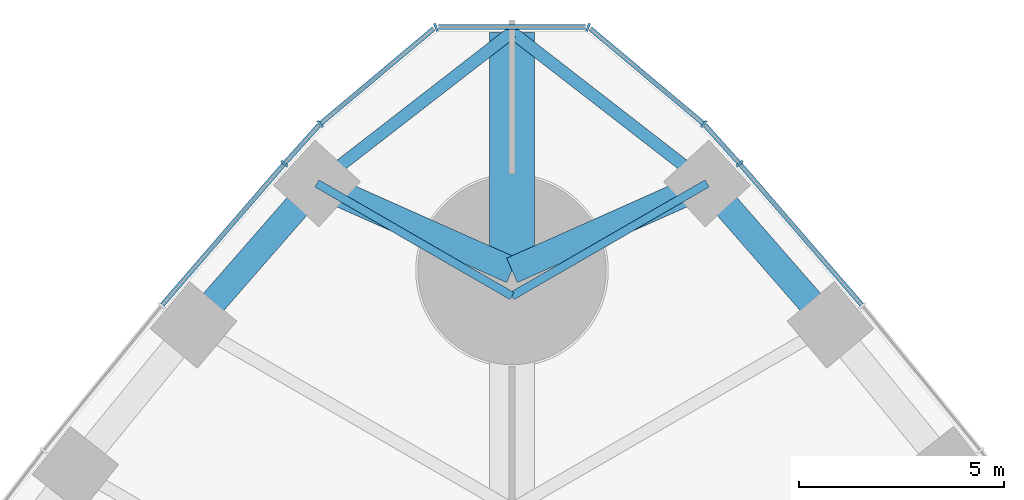
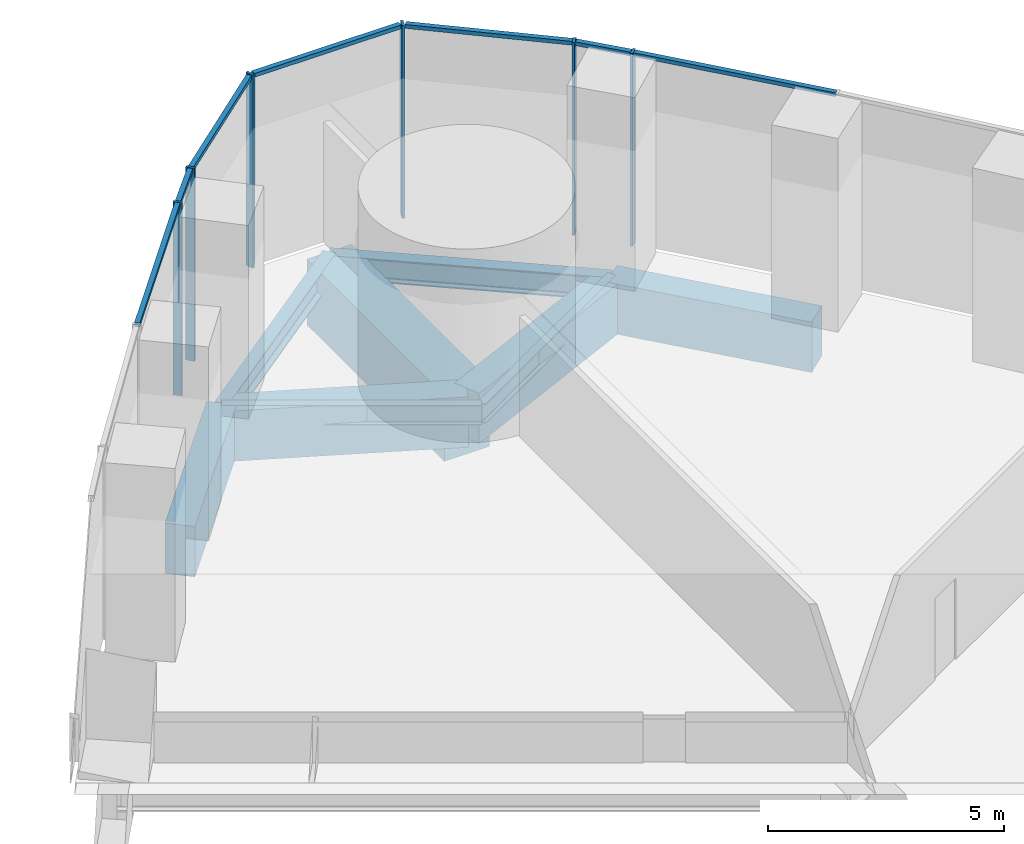
# One storey, part 12 of 21: 13 members, 9 beams, 3 elements without a shape of their own.
"""IFC4 building model written with IfcOpenShell, lengths in metres."""

from ifc_helpers import new_model, si_unit, direction, frame, origin, origin_2d, place, context, subcontext, project, spatial, rectangle, i_section, extrude, material, material_profile, profile_set, type_object, element, aggregate, save


model = new_model("IFC4")

# Units and contexts
model_context = context("Model", 3, precision=1e-05, world=origin(), true_north=direction((0.0, 1.0)))
body_context = subcontext(model_context, "Body", "Model", "MODEL_VIEW")
ifc_project = project(units=[si_unit("LENGTHUNIT", "METRE"), si_unit("AREAUNIT", "SQUARE_METRE"), si_unit("VOLUMEUNIT", "CUBIC_METRE"), si_unit("PLANEANGLEUNIT", "RADIAN"), si_unit("MASSUNIT", "GRAM", prefix="KILO")], contexts=[model_context])

# Site, building, storey
site_placement = place(None, origin())
site = spatial("IfcSite", under=ifc_project, at=site_placement, CompositionType="ELEMENT")
building_placement = place(site_placement, origin())
building = spatial("IfcBuilding", under=site, at=building_placement, Name="Trefoil Bronze Tower", CompositionType="ELEMENT")
storey_placement = place(building_placement, frame((0.0, 0.0, 11.5)))
storey = spatial("IfcBuildingStorey", under=building, at=storey_placement, Name="L02", CompositionType="ELEMENT", Elevation=11.5)

# Curtain wall, member
ifc_material_1 = material(Name="Tinted solar-control glass", Category="glass")
curtain_wall_type_1 = type_object("IfcCurtainWallType", Name="Bronze podium storefront curtain wall", PredefinedType="USERDEFINED", material=ifc_material_1)
curtain_wall_1_placement = place(storey_placement, origin())
curtain_wall_1 = element("IfcCurtainWall", 1, at=curtain_wall_1_placement, inside=storey, type_object=curtain_wall_type_1, Name="CW-C L02 F2", ObjectType="CURTAIN WALL", PredefinedType="USERDEFINED")
ifc_material_2 = material(Name="Bronze-finish aluminium", Category="aluminium")
ifc_material_profile_1 = material_profile(ifc_material_2, rectangle(XDim=0.199951171875, YDim=0.06005859375, at=origin_2d()), Name="CW-C mullion")
ifc_profile_set_1 = profile_set([ifc_material_profile_1], Name="Bronze-finish aluminium")
member_type_1 = type_object("IfcMemberType", Name="Bronze podium storefront curtain wall mullion", PredefinedType="MULLION", material=ifc_profile_set_1)
member_1_placement = place(storey_placement, frame((5.556640625, 39.60400390625, 0.0), z_axis=(0.0, 0.0, 1.0), x_axis=(-0.7499405861, -0.661505190698, 0.0)))
member_1 = element("IfcMember", 2, at=member_1_placement, type_object=member_type_1, Name="CW-C L02 F2 mullion 16", PredefinedType="MULLION", context=body_context, shape_type="SweptSolid", body=[
    extrude(rectangle(XDim=0.199951171875, YDim=0.06005859375, at=origin_2d()), origin(), (0.0, 0.0, 1.0), 4.97998046875),
])

curtain_wall_2_placement = place(storey_placement, origin())
curtain_wall_2 = element("IfcCurtainWall", 3, at=curtain_wall_2_placement, inside=storey, type_object=curtain_wall_type_1, Name="CW-C L02 F3", ObjectType="CURTAIN WALL", PredefinedType="USERDEFINED")
member_2_placement = place(storey_placement, frame((-5.556640625, 39.60400390625, 0.0), z_axis=(0.0, 0.0, 1.0), x_axis=(0.7499405861, -0.661505190698, 0.0)))
member_2 = element("IfcMember", 4, at=member_2_placement, type_object=member_type_1, Name="CW-C L02 F3 mullion 2", PredefinedType="MULLION", context=body_context, shape_type="SweptSolid", body=[
    extrude(rectangle(XDim=0.199951171875, YDim=0.06005859375, at=origin_2d()), origin(), (0.0, 0.0, 1.0), 4.97998046875),
])

# Member
ifc_material_3 = material(Name="Bronze-finish aluminium", Category="aluminium")
ifc_material_profile_2 = material_profile(ifc_material_3, rectangle(XDim=0.1201171875, YDim=0.10009765625, at=origin_2d()), Name="CW-C transom")
ifc_profile_set_2 = profile_set([ifc_material_profile_2], Name="Bronze-finish aluminium")
member_type_2 = type_object("IfcMemberType", Name="Bronze podium storefront curtain wall transom", PredefinedType="USERDEFINED", material=ifc_profile_set_2)
member_3_placement = place(storey_placement, frame((8.5361328125, 36.160888671875, 4.929931640625), z_axis=(-0.654393958873, 0.756153785014, 0.0), x_axis=(-0.756153785014, -0.654393958873, 0.0)))
member_3 = element("IfcMember", 5, at=member_3_placement, type_object=member_type_2, Name="CW-C L02 F2 transom 15", ObjectType="TRANSOM", PredefinedType="USERDEFINED", context=body_context, shape_type="SweptSolid", body=[
    extrude(rectangle(XDim=0.1201171875, YDim=0.10009765625, at=origin_2d()), origin(), (0.0, 0.0, 1.0), 4.5224609375),
])

member_4_placement = place(storey_placement, frame((5.535888671875, 39.626953125, 4.929931640625), z_axis=(-0.668613891613, 0.743609752452, 0.0), x_axis=(-0.743609752452, -0.668613891613, 0.0)))
member_4 = element("IfcMember", 6, at=member_4_placement, type_object=member_type_2, Name="CW-C L02 F2 transom 16", ObjectType="TRANSOM", PredefinedType="USERDEFINED", context=body_context, shape_type="SweptSolid", body=[
    extrude(rectangle(XDim=0.1201171875, YDim=0.10009765625, at=origin_2d()), origin(), (0.0, 0.0, 1.0), 1.23046875),
])

aggregate(curtain_wall_1, [member_1, member_3, member_4])

member_5_placement = place(storey_placement, frame((-4.713134765625, 40.5419921875, 4.929931640625), z_axis=(-0.668613891613, -0.743609752452, 0.0), x_axis=(0.743609752452, -0.668613891613, 0.0)))
member_5 = element("IfcMember", 7, at=member_5_placement, type_object=member_type_2, Name="CW-C L02 F3 transom 1", ObjectType="TRANSOM", PredefinedType="USERDEFINED", context=body_context, shape_type="SweptSolid", body=[
    extrude(rectangle(XDim=0.1201171875, YDim=0.10009765625, at=origin_2d()), origin(), (0.0, 0.0, 1.0), 1.23046875),
])

member_6_placement = place(storey_placement, frame((-5.57666015625, 39.58056640625, 4.929931640625), z_axis=(-0.654393958873, -0.756153785014, 0.0), x_axis=(0.756153785014, -0.654393958873, 0.0)))
member_6 = element("IfcMember", 8, at=member_6_placement, type_object=member_type_2, Name="CW-C L02 F3 transom 2", ObjectType="TRANSOM", PredefinedType="USERDEFINED", context=body_context, shape_type="SweptSolid", body=[
    extrude(rectangle(XDim=0.1201171875, YDim=0.10009765625, at=origin_2d()), origin(), (0.0, 0.0, 1.0), 4.5224609375),
])

aggregate(curtain_wall_2, [member_2, member_5, member_6])

# Curtain wall, members
ifc_material_4 = material(Name="Tinted solar-control glass", Category="glass")
curtain_wall_type_2 = type_object("IfcCurtainWallType", Name="Bronze rounded corner curtain wall", PredefinedType="USERDEFINED", material=ifc_material_4)
curtain_wall_3_placement = place(storey_placement, origin())
curtain_wall_3 = element("IfcCurtainWall", 9, at=curtain_wall_3_placement, inside=storey, type_object=curtain_wall_type_2, Name="CW-B L02 K2", ObjectType="CURTAIN WALL", PredefinedType="USERDEFINED")
ifc_material_5 = material(Name="Bronze-finish aluminium", Category="aluminium")
ifc_material_profile_3 = material_profile(ifc_material_5, rectangle(XDim=0.199951171875, YDim=0.06005859375, at=origin_2d()), Name="CW-B mullion")
ifc_profile_set_3 = profile_set([ifc_material_profile_3], Name="Bronze-finish aluminium")
member_type_3 = type_object("IfcMemberType", Name="Bronze rounded corner curtain wall mullion", PredefinedType="MULLION", material=ifc_profile_set_3)
member_7_placement = place(storey_placement, frame((4.68310546875, 40.573974609375, 0.0), z_axis=(0.0, 0.0, 1.0), x_axis=(-0.642787609687, -0.766044443119, 0.0)))
member_7 = element("IfcMember", 10, at=member_7_placement, type_object=member_type_3, Name="CW-B L02 K2 mullion 1", PredefinedType="MULLION", context=body_context, shape_type="SweptSolid", body=[
    extrude(rectangle(XDim=0.199951171875, YDim=0.06005859375, at=origin_2d()), origin(), (0.0, 0.0, 1.0), 4.97998046875),
])
member_8_placement = place(storey_placement, frame((1.8583984375, 42.9365234375, 0.0), z_axis=(0.0, 0.0, 1.0), x_axis=(-0.342020143326, -0.939692620786, 0.0)))
member_8 = element("IfcMember", 11, at=member_8_placement, type_object=member_type_3, Name="CW-B L02 K2 mullion 2", PredefinedType="MULLION", context=body_context, shape_type="SweptSolid", body=[
    extrude(rectangle(XDim=0.199951171875, YDim=0.06005859375, at=origin_2d()), origin(), (0.0, 0.0, 1.0), 4.97998046875),
])
member_9_placement = place(storey_placement, frame((-1.8583984375, 42.9365234375, 0.0), z_axis=(0.0, 0.0, 1.0), x_axis=(0.342020143326, -0.939692620786, 0.0)))
member_9 = element("IfcMember", 12, at=member_9_placement, type_object=member_type_3, Name="CW-B L02 K2 mullion 3", PredefinedType="MULLION", context=body_context, shape_type="SweptSolid", body=[
    extrude(rectangle(XDim=0.199951171875, YDim=0.06005859375, at=origin_2d()), origin(), (0.0, 0.0, 1.0), 4.97998046875),
])
member_10_placement = place(storey_placement, frame((-4.68310546875, 40.573974609375, 0.0), z_axis=(0.0, 0.0, 1.0), x_axis=(0.642787609687, -0.766044443119, 0.0)))
member_10 = element("IfcMember", 13, at=member_10_placement, type_object=member_type_3, Name="CW-B L02 K2 mullion 4", PredefinedType="MULLION", context=body_context, shape_type="SweptSolid", body=[
    extrude(rectangle(XDim=0.199951171875, YDim=0.06005859375, at=origin_2d()), origin(), (0.0, 0.0, 1.0), 4.97998046875),
])
ifc_material_6 = material(Name="Bronze-finish aluminium", Category="aluminium")
ifc_material_profile_4 = material_profile(ifc_material_6, rectangle(XDim=0.1201171875, YDim=0.10009765625, at=origin_2d()), Name="CW-B transom")
ifc_profile_set_4 = profile_set([ifc_material_profile_4], Name="Bronze-finish aluminium")
member_type_4 = type_object("IfcMemberType", Name="Bronze rounded corner curtain wall transom", PredefinedType="USERDEFINED", material=ifc_profile_set_4)
member_11_placement = place(storey_placement, frame((4.66015625, 40.59326171875, 4.929931640625), z_axis=(-0.766058606238, 0.642770730361, 0.0), x_axis=(-0.642770730361, -0.766058606238, 0.0)))
member_11 = element("IfcMember", 14, at=member_11_placement, type_object=member_type_4, Name="CW-B L02 K2 transom 1", ObjectType="TRANSOM", PredefinedType="USERDEFINED", context=body_context, shape_type="SweptSolid", body=[
    extrude(rectangle(XDim=0.1201171875, YDim=0.10009765625, at=origin_2d()), origin(), (0.0, 0.0, 1.0), 3.588134765625),
])
member_12_placement = place(storey_placement, frame((1.794189453125, 42.9423828125, 4.929931640625), z_axis=(-1.0, 0.0, 0.0), x_axis=(0.0, -1.0, 0.0)))
member_12 = element("IfcMember", 15, at=member_12_placement, type_object=member_type_4, Name="CW-B L02 K2 transom 2", ObjectType="TRANSOM", PredefinedType="USERDEFINED", context=body_context, shape_type="SweptSolid", body=[
    extrude(rectangle(XDim=0.1201171875, YDim=0.10009765625, at=origin_2d()), origin(), (0.0, 0.0, 1.0), 3.58837890625),
])
member_13_placement = place(storey_placement, frame((-1.911376953125, 42.899658203125, 4.929931640625), z_axis=(-0.766058606238, -0.642770730361, 0.0), x_axis=(0.642770730361, -0.766058606238, 0.0)))
member_13 = element("IfcMember", 16, at=member_13_placement, type_object=member_type_4, Name="CW-B L02 K2 transom 3", ObjectType="TRANSOM", PredefinedType="USERDEFINED", context=body_context, shape_type="SweptSolid", body=[
    extrude(rectangle(XDim=0.1201171875, YDim=0.10009765625, at=origin_2d()), origin(), (0.0, 0.0, 1.0), 3.588134765625),
])
aggregate(curtain_wall_3, [member_7, member_8, member_9, member_10, member_11, member_12, member_13])

# Beams
ifc_material_7 = material(Name="Concrete B80", Category="concrete")
ifc_material_profile_5 = material_profile(ifc_material_7, rectangle(XDim=1.10009765625, YDim=1.699951171875, at=origin_2d()), Name="RC 1100x1700")
ifc_profile_set_5 = profile_set([ifc_material_profile_5], Name="Concrete B80")
beam_type_1 = type_object("IfcBeamType", Name="Corner cantilever RC 1100x1700", PredefinedType="BEAM", material=ifc_profile_set_5)
beam_placement = place(storey_placement, frame((0.0, 37.0, -1.050048828125), z_axis=(0.0, 1.0, 0.0), x_axis=(-1.0, 0.0, 0.0)))
element("IfcBeam", 17, at=beam_placement, inside=storey, type_object=beam_type_1, Name="Corner cantilever K2 L02", PredefinedType="BEAM", context=body_context, shape_type="SweptSolid", body=[
    extrude(rectangle(XDim=1.10009765625, YDim=1.699951171875, at=origin_2d()), origin(), (0.0, 0.0, 1.0), 5.814208984375),
])
ifc_material_8 = material(Name="Steel C355", Category="steel")
ifc_material_profile_6 = material_profile(ifc_material_8, i_section(OverallWidth=0.300048828125, OverallDepth=0.60009765625, WebThickness=0.015380859375, FlangeThickness=0.030029296875, FilletRadius=0.027099609375, at=origin_2d()), Name="HEB 600")
ifc_profile_set_6 = profile_set([ifc_material_profile_6], Name="Steel C355")
beam_type_2 = type_object("IfcBeamType", Name="Corner edge beam HEB 600", PredefinedType="BEAM", material=ifc_profile_set_6)
for number, where, z_axis, x_axis, name in (
    (18, (4.76171875, 39.122314453125, -0.5), (-0.790289474622, 0.612733666696, 0.0), (-0.612733666696, -0.790289474622, 0.0), "Corner edge beam F2A L02"),
    (19, (-4.76171875, 39.122314453125, -0.5), (0.790289474622, 0.612733666696, 0.0), (-0.612733666696, 0.790289474622, 0.0), "Corner edge beam F3B L02"),
):
    element("IfcBeam", number, at=place(storey_placement, frame(where, z_axis=z_axis, x_axis=x_axis)), inside=storey, type_object=beam_type_2, Name=name, PredefinedType="BEAM", context=body_context, shape_type="SweptSolid", body=[
        extrude(i_section(OverallWidth=0.300048828125, OverallDepth=0.60009765625, WebThickness=0.015380859375, FlangeThickness=0.030029296875, FilletRadius=0.027099609375, at=origin_2d()), origin(), (0.0, 0.0, 1.0), 6.025390625),
    ])
ifc_material_9 = material(Name="Concrete B80", Category="concrete")
ifc_material_profile_7 = material_profile(ifc_material_9, rectangle(XDim=0.64990234375, YDim=1.300048828125, at=origin_2d()), Name="RC 650x1300")
ifc_profile_set_7 = profile_set([ifc_material_profile_7], Name="Concrete B80")
beam_type_3 = type_object("IfcBeamType", Name="End spandrel beam RC 650x1300", PredefinedType="SPANDREL", material=ifc_profile_set_7)
for number, where, z_axis, x_axis, name in (
    (20, (4.76171875, 39.122314453125, -0.85009765625), (-0.913384257879, -0.407098510754, 0.0), (0.407098510754, -0.913384257879, 0.0), "Spandrel F2.16 L02"),
    (21, (0.0, 37.0, -0.85009765625), (-0.913384257879, 0.407098510754, 0.0), (-0.407098510754, -0.913384257879, 0.0), "Spandrel F3.1 L02"),
):
    element("IfcBeam", number, at=place(storey_placement, frame(where, z_axis=z_axis, x_axis=x_axis)), inside=storey, type_object=beam_type_3, Name=name, PredefinedType="SPANDREL", context=body_context, shape_type="SweptSolid", body=[
        extrude(rectangle(XDim=0.64990234375, YDim=1.300048828125, at=origin_2d()), origin(), (0.0, 0.0, 1.0), 5.21337890625),
    ])
ifc_material_10 = material(Name="Steel C355", Category="steel")
ifc_material_profile_8 = material_profile(ifc_material_10, i_section(OverallWidth=0.199951171875, OverallDepth=0.5, WebThickness=0.01025390625, FlangeThickness=0.01611328125, FilletRadius=0.02099609375, at=origin_2d()), Name="IPE 500")
ifc_profile_set_8 = profile_set([ifc_material_profile_8], Name="Steel C355")
beam_type_4 = type_object("IfcBeamType", Name="Floor beam IPE 500", PredefinedType="BEAM", material=ifc_profile_set_8)
for number, where, z_axis, x_axis, name in (
    (22, (4.76171875, 39.122314453125, -0.449951171875), (-0.866018475376, -0.500012000164, 0.0), (0.500012000164, -0.866018475376, 0.0), "Floor beam F2/+7 L02"),
    (23, (-4.76171875, 39.122314453125, -0.449951171875), (0.866018475376, -0.500012000164, 0.0), (0.500012000164, 0.866018475376, 0.0), "Floor beam F3/-7 L02"),
):
    element("IfcBeam", number, at=place(storey_placement, frame(where, z_axis=z_axis, x_axis=x_axis)), inside=storey, type_object=beam_type_4, Name=name, PredefinedType="BEAM", context=body_context, shape_type="SweptSolid", body=[
        extrude(i_section(OverallWidth=0.199951171875, OverallDepth=0.5, WebThickness=0.01025390625, FlangeThickness=0.01611328125, FilletRadius=0.02099609375, at=origin_2d()), origin(), (0.0, 0.0, 1.0), 5.498291015625),
    ])
ifc_material_11 = material(Name="Concrete B80", Category="concrete")
ifc_material_profile_9 = material_profile(ifc_material_11, rectangle(XDim=0.64990234375, YDim=1.300048828125, at=origin_2d()), Name="RC 650x1300")
ifc_profile_set_9 = profile_set([ifc_material_profile_9], Name="Concrete B80")
beam_type_5 = type_object("IfcBeamType", Name="Spandrel beam RC 650x1300", PredefinedType="SPANDREL", material=ifc_profile_set_9)
for number, where, z_axis, x_axis, name in (
    (24, (7.7763671875, 35.666748046875, -0.85009765625), (-0.657395767989, 0.753545489158, 0.0), (-0.753545489158, -0.657395767989, 0.0), "Spandrel F2.15 L02"),
    (25, (-4.76171875, 39.122314453125, -0.85009765625), (-0.657395767989, -0.753545489158, 0.0), (0.753545489158, -0.657395767989, 0.0), "Spandrel F3.2 L02"),
):
    element("IfcBeam", number, at=place(storey_placement, frame(where, z_axis=z_axis, x_axis=x_axis)), inside=storey, type_object=beam_type_5, Name=name, PredefinedType="SPANDREL", context=body_context, shape_type="SweptSolid", body=[
        extrude(rectangle(XDim=0.64990234375, YDim=1.300048828125, at=origin_2d()), origin(), (0.0, 0.0, 1.0), 4.585693359375),
    ])

save(model, "model.ifc")
